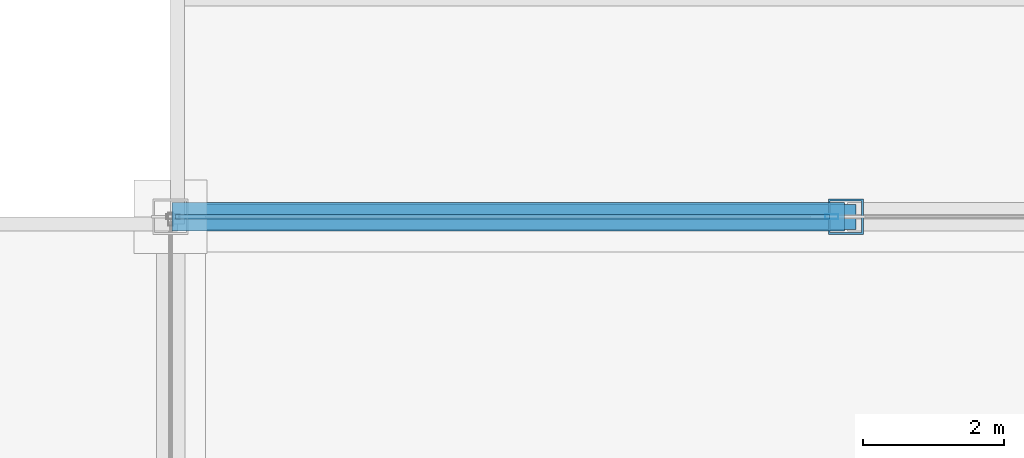
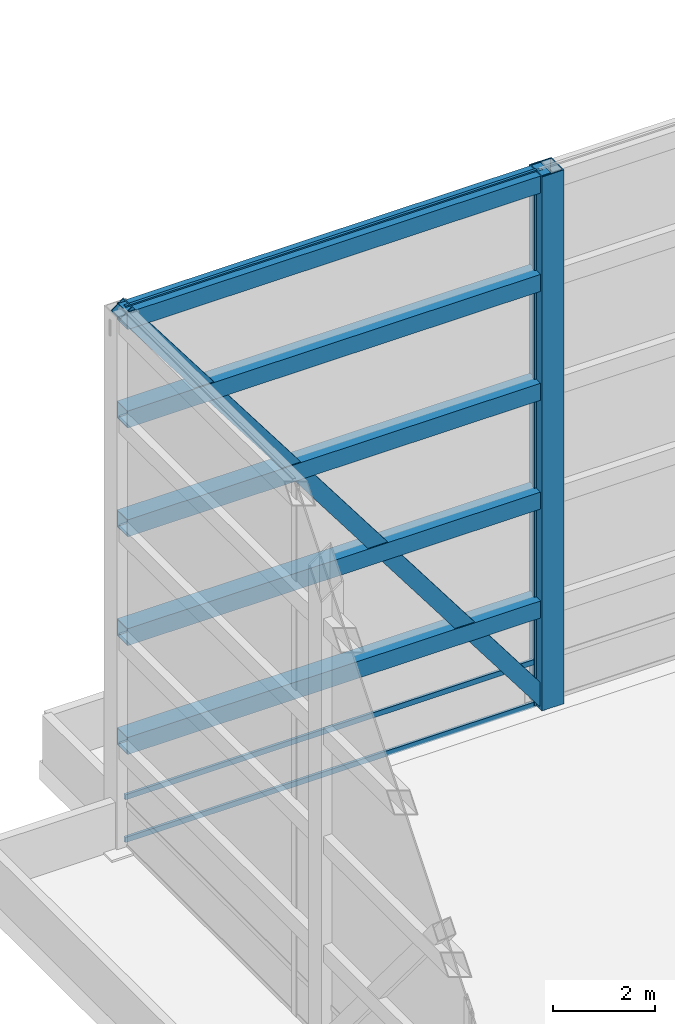
# One storey, part 10 of 23: 6 members, 5 beams, 1 element without a shape of its own.
"""IFC4 building model written with IfcOpenShell, lengths in metres."""

from ifc_helpers import new_model, si_unit, direction, frame, origin, origin_2d, place, context, subcontext, project, spatial, hollow_rectangle, extrude, source, transform, mapped, material, layer, layer_set, material_profile, profile_set, type_object, type_shapes, element, aggregate, save


model = new_model("IFC4")

# Units and contexts
model_context = context("Model", 3, precision=1e-05, world=origin(), true_north=direction((0.0, 1.0)))
body_context = subcontext(model_context, "Body", "Model", "MODEL_VIEW")
ifc_project = project(units=[si_unit("LENGTHUNIT", "METRE"), si_unit("AREAUNIT", "SQUARE_METRE"), si_unit("VOLUMEUNIT", "CUBIC_METRE"), si_unit("PLANEANGLEUNIT", "RADIAN"), si_unit("MASSUNIT", "GRAM", prefix="KILO")], contexts=[model_context])

# Site, building, storey
site_placement = place(None, origin())
site = spatial("IfcSite", under=ifc_project, at=site_placement, CompositionType="ELEMENT")
building_placement = place(site_placement, origin())
building = spatial("IfcBuilding", under=site, at=building_placement, Name="Varnel Quay Broadcast Tower", CompositionType="ELEMENT")
storey_placement = place(building_placement, frame((0.0, 0.0, 319.800048828125)))
storey = spatial("IfcBuildingStorey", under=building, at=storey_placement, Name="Roof", CompositionType="ELEMENT", Elevation=319.800048828125)

# Member
ifc_material_1 = material(Name="Structural Steel CSA G40.21 350WT", Category="steel")
ifc_material_profile_1 = material_profile(ifc_material_1, hollow_rectangle(XDim=0.5, YDim=0.5, WallThickness=0.02490234375, at=origin_2d()), Name="BOX500X500X25")
ifc_profile_set_1 = profile_set([ifc_material_profile_1], Name="Structural Steel CSA G40.21 350WT")
member_type_1 = type_object("IfcMemberType", Name="CrownRingPost_BOX500", PredefinedType="POST", material=ifc_profile_set_1)
shared_shape_1 = source(origin(), body_context, "Body", "SweptSolid", [
    extrude(hollow_rectangle(XDim=0.5, YDim=0.5, WallThickness=0.02490234375, at=origin_2d()), origin(), (0.0, 0.0, 1.0), 12.75),
])
type_shapes(member_type_1, [shared_shape_1])
member_1_placement = place(storey_placement, frame((24.800048828125, 43.60009765625, 0.0), z_axis=(0.0, 0.0, 1.0), x_axis=(1.0, 0.0, 0.0)))
element("IfcMember", 1, at=member_1_placement, inside=storey, type_object=member_type_1, Name="CROWN FRAME Ring Post 11", PredefinedType="POST", context=body_context, shape_type="MappedRepresentation", body=[
    mapped(shared_shape_1, transform((0.0, 0.0, 0.0), x_axis=(1.0, 0.0, 0.0), y_axis=(0.0, 1.0, 0.0), z_axis=(0.0, 0.0, 1.0), scale=1.0)),
])

# Beams
ifc_material_profile_2 = material_profile(ifc_material_1, hollow_rectangle(XDim=0.406005859375, YDim=0.406005859375, WallThickness=0.01611328125, at=origin_2d()), Name="HSS406X406X16")
ifc_profile_set_2 = profile_set([ifc_material_profile_2], Name="Structural Steel CSA G40.21 350WT")
beam_type = type_object("IfcBeamType", Name="CrownRingBeam_HSS406", PredefinedType="BEAM", material=ifc_profile_set_2)
shared_shape_2 = source(origin(), body_context, "Body", "SweptSolid", [
    extrude(hollow_rectangle(XDim=0.406005859375, YDim=0.406005859375, WallThickness=0.01611328125, at=origin_2d()), origin(), (0.0, 0.0, 1.0), 9.56005859375),
])
type_shapes(beam_type, [shared_shape_2])
for number, where, z_axis, x_axis, name in (
    (2, (24.780029296875, 43.60009765625, 2.39697265625), (-1.0, 0.0, 0.0), (0.0, -1.0, 0.0), "CROWN FRAME Ring Tier 1 Beam 11"),
    (3, (24.780029296875, 43.60009765625, 4.9970703125), (-1.0, 0.0, 0.0), (0.0, -1.0, 0.0), "CROWN FRAME Ring Tier 2 Beam 11"),
    (4, (24.780029296875, 43.60009765625, 7.596923828125), (-1.0, 0.0, 0.0), (0.0, -1.0, 0.0), "CROWN FRAME Ring Tier 3 Beam 11"),
    (5, (24.780029296875, 43.60009765625, 10.197021484375), (-1.0, 0.0, 0.0), (0.0, -1.0, 0.0), "CROWN FRAME Ring Tier 4 Beam 11"),
    (6, (24.780029296875, 43.60009765625, 12.546875), (-1.0, 0.0, 0.0), (0.0, -1.0, 0.0), "CROWN FRAME Ring Tier 5 Beam 11"),
):
    element("IfcBeam", number, at=place(storey_placement, frame(where, z_axis=z_axis, x_axis=x_axis)), inside=storey, type_object=beam_type, Name=name, PredefinedType="BEAM", context=body_context, shape_type="MappedRepresentation", body=[
        mapped(shared_shape_2, transform((0.0, 0.0, 0.0), x_axis=(1.0, 0.0, 0.0), y_axis=(0.0, 1.0, 0.0), z_axis=(0.0, 0.0, 1.0), scale=1.0)),
    ])

# Member
ifc_material_2 = material(Name="Structural Steel CSA G40.21 350W", Category="steel")
ifc_material_profile_3 = material_profile(ifc_material_2, hollow_rectangle(XDim=0.35595703125, YDim=0.35595703125, WallThickness=0.01611328125, at=origin_2d()), Name="HSS356X356X16")
ifc_profile_set_3 = profile_set([ifc_material_profile_3], Name="Structural Steel CSA G40.21 350W")
member_type_2 = type_object("IfcMemberType", Name="CrownRingBrace_HSS356", PredefinedType="BRACE", material=ifc_profile_set_3)
shared_shape_3 = source(origin(), body_context, "Body", "SweptSolid", [
    extrude(hollow_rectangle(XDim=0.35595703125, YDim=0.35595703125, WallThickness=0.01611328125, at=origin_2d()), origin(), (0.0, 0.0, 1.0), 15.92822265625),
])
type_shapes(member_type_2, [shared_shape_3])
member_2_placement = place(storey_placement, frame((24.800048828125, 43.60009765625, 0.02001953125), z_axis=(-0.602713824571, 0.0, 0.797957420964), x_axis=(0.0, -1.0, 0.0)))
element("IfcMember", 7, at=member_2_placement, inside=storey, type_object=member_type_2, Name="CROWN FRAME Ring Brace 11", PredefinedType="BRACE", context=body_context, shape_type="MappedRepresentation", body=[
    mapped(shared_shape_3, transform((0.0, 0.0, 0.0), x_axis=(1.0, 0.0, 0.0), y_axis=(0.0, 1.0, 0.0), z_axis=(0.0, 0.0, 1.0), scale=1.0)),
])

# Curtain wall, members
ifc_material_3 = material(Name="Anodised Bronze Aluminium 6063-T6", Category="aluminium")
ifc_layer = layer(ifc_material_3, 0.18994140625, Name="Anodised Bronze Aluminium 6063-T6")
ifc_layer_set = layer_set([ifc_layer], Name="Anodised Bronze Aluminium 6063-T6")
curtain_wall_type = type_object("IfcCurtainWallType", Name="CW_CrownScreen", PredefinedType="NOTDEFINED", material=ifc_layer_set)
curtain_wall_placement = place(storey_placement, origin())
curtain_wall = element("IfcCurtainWall", 8, at=curtain_wall_placement, inside=storey, type_object=curtain_wall_type, Name="Ring Crown Bronze Glazed Louvre Screen N2", PredefinedType="NOTDEFINED")
ifc_material_profile_4 = material_profile(ifc_material_3, hollow_rectangle(XDim=0.070068359375, YDim=0.18994140625, WallThickness=0.00390625, at=origin_2d()), Name="ALU70X190X4")
ifc_profile_set_4 = profile_set([ifc_material_profile_4], Name="Anodised Bronze Aluminium 6063-T6")
member_type_3 = type_object("IfcMemberType", Name="Mull_CWS-06", PredefinedType="MULLION", material=ifc_profile_set_4)
shared_shape_4 = source(origin(), body_context, "Body", "SweptSolid", [
    extrude(hollow_rectangle(XDim=0.070068359375, YDim=0.18994140625, WallThickness=0.00390625, at=origin_2d()), origin(), (0.0, 0.0, 1.0), 12.75),
])
type_shapes(member_type_3, [shared_shape_4])
member_3_placement = place(storey_placement, frame((24.60009765625, 43.60009765625, 0.0), z_axis=(0.0, 0.0, 1.0), x_axis=(0.0, -1.0, 0.0)))
member_3 = element("IfcMember", 9, at=member_3_placement, type_object=member_type_3, Name="CWS-06 mullion 2", PredefinedType="MULLION", context=body_context, shape_type="MappedRepresentation", body=[
    mapped(shared_shape_4, transform((0.0, 0.0, 0.0), x_axis=(1.0, 0.0, 0.0), y_axis=(0.0, 1.0, 0.0), z_axis=(0.0, 0.0, 1.0), scale=1.0)),
])
ifc_material_profile_5 = material_profile(ifc_material_3, hollow_rectangle(XDim=0.06005859375, YDim=0.125, WallThickness=0.0029296875, at=origin_2d()), Name="ALU60X125X3")
ifc_profile_set_5 = profile_set([ifc_material_profile_5], Name="Anodised Bronze Aluminium 6063-T6")
member_type_4 = type_object("IfcMemberType", Name="Tran_CWS-06", PredefinedType="USERDEFINED", material=ifc_profile_set_5)
shared_shape_5 = source(origin(), body_context, "Body", "SweptSolid", [
    extrude(hollow_rectangle(XDim=0.06005859375, YDim=0.125, WallThickness=0.0029296875, at=origin_2d()), origin(), (0.0, 0.0, 1.0), 9.294921875),
])
type_shapes(member_type_4, [shared_shape_5])
member_4_placement = place(storey_placement, frame((24.56494140625, 43.60009765625, 0.030029296875), z_axis=(-1.0, 0.0, 0.0), x_axis=(0.0, -1.0, 0.0)))
member_4 = element("IfcMember", 10, at=member_4_placement, type_object=member_type_4, Name="CWS-06 transom 2.1", ObjectType="TRANSOM", PredefinedType="USERDEFINED", context=body_context, shape_type="MappedRepresentation", body=[
    mapped(shared_shape_5, transform((0.0, 0.0, 0.0), x_axis=(1.0, 0.0, 0.0), y_axis=(0.0, 1.0, 0.0), z_axis=(0.0, 0.0, 1.0), scale=1.0)),
])
member_5_placement = place(storey_placement, frame((24.56494140625, 43.60009765625, 1.050048828125), z_axis=(-1.0, 0.0, 0.0), x_axis=(0.0, -1.0, 0.0)))
member_5 = element("IfcMember", 11, at=member_5_placement, type_object=member_type_4, Name="CWS-06 transom 2.2", ObjectType="TRANSOM", PredefinedType="USERDEFINED", context=body_context, shape_type="MappedRepresentation", body=[
    mapped(shared_shape_5, transform((0.0, 0.0, 0.0), x_axis=(1.0, 0.0, 0.0), y_axis=(0.0, 1.0, 0.0), z_axis=(0.0, 0.0, 1.0), scale=1.0)),
])
member_6_placement = place(storey_placement, frame((24.56494140625, 43.60009765625, 12.719970703125), z_axis=(-1.0, 0.0, 0.0), x_axis=(0.0, -1.0, 0.0)))
member_6 = element("IfcMember", 12, at=member_6_placement, type_object=member_type_4, Name="CWS-06 transom 2.3", ObjectType="TRANSOM", PredefinedType="USERDEFINED", context=body_context, shape_type="MappedRepresentation", body=[
    mapped(shared_shape_5, transform((0.0, 0.0, 0.0), x_axis=(1.0, 0.0, 0.0), y_axis=(0.0, 1.0, 0.0), z_axis=(0.0, 0.0, 1.0), scale=1.0)),
])
aggregate(curtain_wall, [member_3, member_4, member_5, member_6])

save(model, "model.ifc")
